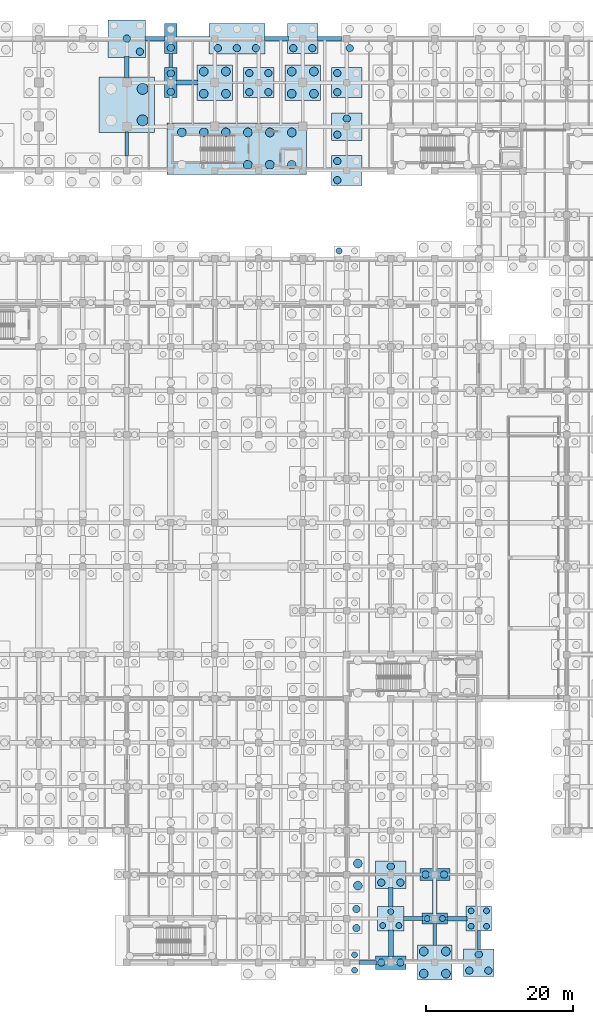
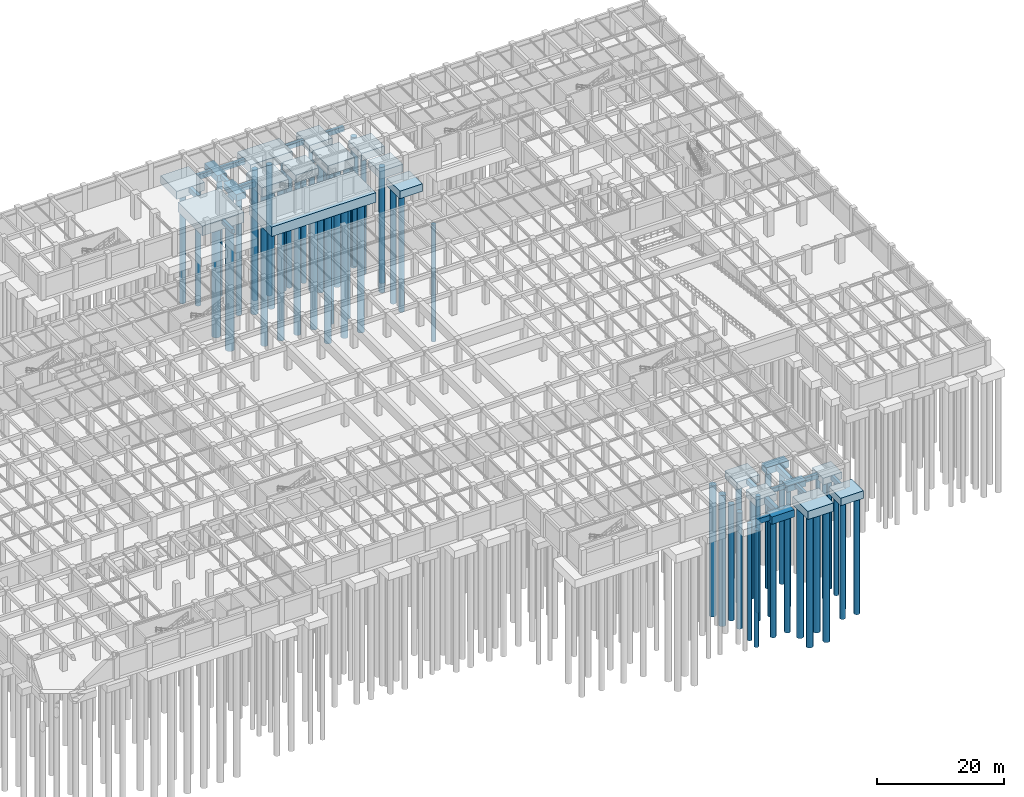
# One storey, part 16 of 54: 70 piles, 37 footings.
"""IFC4 building model written with IfcOpenShell, lengths in metres."""

from ifc_helpers import new_model, si_unit, direction, frame, origin, origin_2d, place, context, subcontext, project, spatial, rectangle, circle, extrude, material, material_profile, profile_set, type_object, element, save


model = new_model("IFC4")

# Units and contexts
model_context = context("Model", 3, precision=1e-05, world=origin(), true_north=direction((0.0, 1.0)))
body_context = subcontext(model_context, "Body", "Model", "MODEL_VIEW")
ifc_project = project(units=[si_unit("LENGTHUNIT", "METRE"), si_unit("AREAUNIT", "SQUARE_METRE"), si_unit("VOLUMEUNIT", "CUBIC_METRE"), si_unit("PLANEANGLEUNIT", "RADIAN"), si_unit("MASSUNIT", "GRAM", prefix="KILO"), si_unit("THERMODYNAMICTEMPERATUREUNIT", "KELVIN"), si_unit("POWERUNIT", "WATT")], contexts=[model_context])

# Site, building, storey
site_placement = place(None, origin())
site = spatial("IfcSite", under=ifc_project, at=site_placement, CompositionType="ELEMENT")
building_placement = place(site_placement, origin())
building = spatial("IfcBuilding", under=site, at=building_placement, Name="Phaisarnlok Congress Hotel", CompositionType="ELEMENT")
storey_placement = place(building_placement, frame((0.0, 0.0, -4.800048828125)))
storey = spatial("IfcBuildingStorey", under=building, at=storey_placement, Name="B01", CompositionType="ELEMENT", Elevation=-4.800048828125)

# Footings
ifc_material_1 = material(Name="Concrete C40/50", Category="concrete")
footing_type_1 = type_object("IfcFootingType", Name="CAP-2P-A", PredefinedType="PILE_CAP", material=ifc_material_1)
footing_1_placement = place(storey_placement, frame((138.0, 6.0, -1.69970703125), z_axis=(0.0, 0.0, 1.0), x_axis=(1.0, 0.0, 0.0)))
element("IfcFooting", 1, at=footing_1_placement, inside=storey, type_object=footing_type_1, Name="Pile cap PC-01 at (138,6)", PredefinedType="PILE_CAP", context=body_context, shape_type="SweptSolid", body=[
    extrude(rectangle(XDim=3.43994140625, YDim=1.5400390625, at=origin_2d()), origin(), (0.0, 0.0, 1.0), 1.199951171875),
])
footing_type_2 = type_object("IfcFootingType", Name="CAP-2P-B", PredefinedType="PILE_CAP", material=ifc_material_1)
footing_2_placement = place(storey_placement, frame((138.0, 12.0, -1.7998046875), z_axis=(0.0, 0.0, 1.0), x_axis=(1.0, 0.0, 0.0)))
element("IfcFooting", 2, at=footing_2_placement, inside=storey, type_object=footing_type_2, Name="Pile cap PC-02 at (138,12)", PredefinedType="PILE_CAP", context=body_context, shape_type="SweptSolid", body=[
    extrude(rectangle(XDim=4.080078125, YDim=1.639892578125, at=origin_2d()), origin(), (0.0, 0.0, 1.0), 1.300048828125),
])
footing_type_3 = type_object("IfcFootingType", Name="CAP-2P-C", PredefinedType="PILE_CAP", material=ifc_material_1)
footing_3_placement = place(storey_placement, frame((132.0, 0.0, -1.89990234375), z_axis=(0.0, 0.0, 1.0), x_axis=(1.0, 0.0, 0.0)))
element("IfcFooting", 3, at=footing_3_placement, inside=storey, type_object=footing_type_3, Name="Pile cap PC-03 at (132,0)", PredefinedType="PILE_CAP", context=body_context, shape_type="SweptSolid", body=[
    extrude(rectangle(XDim=4.1201171875, YDim=1.840087890625, at=origin_2d()), origin(), (0.0, 0.0, 1.0), 1.39990234375),
])
footing_type_4 = type_object("IfcFootingType", Name="CAP-2P-D", PredefinedType="PILE_CAP", material=ifc_material_1)
for number, where, z_axis, x_axis, name in (
    (4, (102.0, 120.0, -1.75), (0.0, 0.0, 1.0), (1.0, 0.0, 0.0), "Pile cap PC-14 at (102,120)"),
    (5, (102.0, 126.0, -1.75), (0.0, 0.0, 1.0), (1.0, 0.0, 0.0), "Pile cap PC-14 at (102,126)"),
):
    element("IfcFooting", number, at=place(storey_placement, frame(where, z_axis=z_axis, x_axis=x_axis)), inside=storey, type_object=footing_type_4, Name=name, PredefinedType="PILE_CAP", context=body_context, shape_type="SweptSolid", body=[
        extrude(rectangle(XDim=1.719970703125, YDim=4.080078125, at=origin_2d()), origin(), (0.0, 0.0, 1.0), 1.25),
    ])
footing_type_5 = type_object("IfcFootingType", Name="CAP-3P-A", PredefinedType="PILE_CAP", material=ifc_material_1)
footing_4_placement = place(storey_placement, frame((132.0, 6.0, -1.85009765625), z_axis=(0.0, 0.0, 1.0), x_axis=(1.0, 0.0, 0.0)))
element("IfcFooting", 6, at=footing_4_placement, inside=storey, type_object=footing_type_5, Name="Pile cap PC-04 at (132,6)", PredefinedType="PILE_CAP", context=body_context, shape_type="SweptSolid", body=[
    extrude(rectangle(XDim=3.639892578125, YDim=3.340087890625, at=origin_2d()), origin(), (0.0, 0.0, 1.0), 1.35009765625),
])
footing_type_6 = type_object("IfcFootingType", Name="CAP-3P-B", PredefinedType="PILE_CAP", material=ifc_material_1)
for number, where, z_axis, x_axis, name in (
    (7, (126.0, 114.0, -1.94970703125), (0.0, 0.0, 1.0), (1.0, 0.0, 0.0), "Pile cap PC-05 at (126,114)"),
    (8, (132.0, 12.0, -1.94970703125), (0.0, 0.0, 1.0), (1.0, 0.0, 0.0), "Pile cap PC-05 at (132,12)"),
    (9, (144.0, 0.0, -1.94970703125), (0.0, 0.0, 1.0), (1.0, 0.0, 0.0), "Pile cap PC-05 at (144,0)"),
):
    element("IfcFooting", number, at=place(storey_placement, frame(where, z_axis=z_axis, x_axis=x_axis)), inside=storey, type_object=footing_type_6, Name=name, PredefinedType="PILE_CAP", context=body_context, shape_type="SweptSolid", body=[
        extrude(rectangle(XDim=4.1201171875, YDim=3.739990234375, at=origin_2d()), origin(), (0.0, 0.0, 1.0), 1.449951171875),
    ])
footing_type_7 = type_object("IfcFootingType", Name="CAP-4P-A", PredefinedType="PILE_CAP", material=ifc_material_1)
footing_5_placement = place(storey_placement, frame((144.0, 6.0, -1.7998046875), z_axis=(0.0, 0.0, 1.0), x_axis=(1.0, 0.0, 0.0)))
element("IfcFooting", 10, at=footing_5_placement, inside=storey, type_object=footing_type_7, Name="Pile cap PC-06 at (144,6)", PredefinedType="PILE_CAP", context=body_context, shape_type="SweptSolid", body=[
    extrude(rectangle(XDim=3.43994140625, YDim=3.43994140625, at=origin_2d()), origin(), (0.0, 0.0, 1.0), 1.300048828125),
])
footing_type_8 = type_object("IfcFootingType", Name="CAP-4P-B", PredefinedType="PILE_CAP", material=ifc_material_1)
for number, where, z_axis, x_axis, name in (
    (11, (114.0, 120.0, -1.94970703125), (0.0, 0.0, 1.0), (1.0, 0.0, 0.0), "Pile cap PC-07 at (114,120)"),
    (12, (120.0, 126.0, -1.94970703125), (0.0, 0.0, 1.0), (1.0, 0.0, 0.0), "Pile cap PC-07 at (120,126)"),
    (13, (126.0, 108.0, -1.94970703125), (0.0, 0.0, 1.0), (1.0, 0.0, 0.0), "Pile cap PC-07 at (126,108)"),
    (14, (126.0, 120.0, -1.94970703125), (0.0, 0.0, 1.0), (1.0, 0.0, 0.0), "Pile cap PC-07 at (126,120)"),
):
    element("IfcFooting", number, at=place(storey_placement, frame(where, z_axis=z_axis, x_axis=x_axis)), inside=storey, type_object=footing_type_8, Name=name, PredefinedType="PILE_CAP", context=body_context, shape_type="SweptSolid", body=[
        extrude(rectangle(XDim=4.1201171875, YDim=4.1201171875, at=origin_2d()), origin(), (0.0, 0.0, 1.0), 1.449951171875),
    ])
footing_type_9 = type_object("IfcFootingType", Name="CAP-4P-C", PredefinedType="PILE_CAP", material=ifc_material_1)
footing_6_placement = place(storey_placement, frame((138.0, 0.0, -2.10009765625), z_axis=(0.0, 0.0, 1.0), x_axis=(1.0, 0.0, 0.0)))
element("IfcFooting", 15, at=footing_6_placement, inside=storey, type_object=footing_type_9, Name="Pile cap PC-08 at (138,0)", PredefinedType="PILE_CAP", context=body_context, shape_type="SweptSolid", body=[
    extrude(rectangle(XDim=4.719970703125, YDim=4.760009765625, at=origin_2d()), origin(), (0.0, 0.0, 1.0), 1.60009765625),
])
footing_type_10 = type_object("IfcFootingType", Name="CAP-4P-D", PredefinedType="PILE_CAP", material=ifc_material_1)
for number, where, z_axis, x_axis, name in (
    (16, (108.0, 120.0, -2.25), (0.0, 0.0, 1.0), (1.0, 0.0, 0.0), "Pile cap PC-09 at (108,120)"),
    (17, (120.0, 120.0, -2.25), (0.0, 0.0, 1.0), (1.0, 0.0, 0.0), "Pile cap PC-09 at (120,120)"),
):
    element("IfcFooting", number, at=place(storey_placement, frame(where, z_axis=z_axis, x_axis=x_axis)), inside=storey, type_object=footing_type_10, Name=name, PredefinedType="PILE_CAP", context=body_context, shape_type="SweptSolid", body=[
        extrude(rectangle(XDim=4.840087890625, YDim=4.840087890625, at=origin_2d()), origin(), (0.0, 0.0, 1.0), 1.75),
    ])
footing_type_11 = type_object("IfcFootingType", Name="CAP-4P-E", PredefinedType="PILE_CAP", material=ifc_material_1)
footing_7_placement = place(storey_placement, frame((96.0, 117.0, -2.39990234375), z_axis=(0.0, 0.0, 1.0), x_axis=(1.0, 0.0, 0.0)))
element("IfcFooting", 18, at=footing_7_placement, inside=storey, type_object=footing_type_11, Name="Combined pile cap PC-10 at (96,117)", PredefinedType="PILE_CAP", context=body_context, shape_type="SweptSolid", body=[
    extrude(rectangle(XDim=7.60009765625, YDim=7.60009765625, at=origin_2d()), origin(), (0.0, 0.0, 1.0), 1.89990234375),
])
footing_type_12 = type_object("IfcFootingType", Name="CAP-5P-A", PredefinedType="PILE_CAP", material=ifc_material_1)
footing_8_placement = place(storey_placement, frame((96.0, 126.0, -2.0498046875), z_axis=(0.0, 0.0, 1.0), x_axis=(1.0, 0.0, 0.0)))
element("IfcFooting", 19, at=footing_8_placement, inside=storey, type_object=footing_type_12, Name="Pile cap PC-13 at (96,126)", PredefinedType="PILE_CAP", context=body_context, shape_type="SweptSolid", body=[
    extrude(rectangle(XDim=5.080078125, YDim=5.080078125, at=origin_2d()), origin(), (0.0, 0.0, 1.0), 1.550048828125),
])
footing_type_13 = type_object("IfcFootingType", Name="CAP-6P-A", PredefinedType="PILE_CAP", material=ifc_material_1)
footing_9_placement = place(storey_placement, frame((111.0, 126.0, -2.14990234375), z_axis=(0.0, 0.0, 1.0), x_axis=(1.0, 0.0, 0.0)))
element("IfcFooting", 20, at=footing_9_placement, inside=storey, type_object=footing_type_13, Name="Combined pile cap PC-11 at (111,126)", PredefinedType="PILE_CAP", context=body_context, shape_type="SweptSolid", body=[
    extrude(rectangle(XDim=7.639892578125, YDim=4.159912109375, at=origin_2d()), origin(), (0.0, 0.0, 1.0), 1.64990234375),
])
footing_type_14 = type_object("IfcFootingType", Name="CAP-CORE-H", PredefinedType="PILE_CAP", material=ifc_material_1)
footing_10_placement = place(storey_placement, frame((111.0, 111.0, -2.35009765625), z_axis=(0.0, 0.0, 1.0), x_axis=(1.0, 0.0, 0.0)))
element("IfcFooting", 21, at=footing_10_placement, inside=storey, type_object=footing_type_14, Name="Core pile cap PC-15 (CORE-4)", PredefinedType="PILE_CAP", context=body_context, shape_type="SweptSolid", body=[
    extrude(rectangle(XDim=19.0, YDim=7.0, at=origin_2d()), origin(), (0.0, 0.0, 1.0), 1.85009765625),
])
ifc_material_profile_1 = material_profile(ifc_material_1, rectangle(XDim=0.5, YDim=0.800048828125, at=origin_2d()), Name="FB-500x800")
ifc_profile_set_1 = profile_set([ifc_material_profile_1], Name="Concrete C40/50")
footing_type_15 = type_object("IfcFootingType", Name="FB-500x800", PredefinedType="FOOTING_BEAM", material=ifc_profile_set_1)
footing_11_placement = place(storey_placement, frame((96.0, 109.985107421875, -0.89990234375), z_axis=(0.0, 1.0, 0.0), x_axis=(-1.0, 0.0, 0.0)))
element("IfcFooting", 22, at=footing_11_placement, inside=storey, type_object=footing_type_15, Name="Ground tie beam FB-01", PredefinedType="FOOTING_BEAM", context=body_context, shape_type="SweptSolid", body=[
    extrude(rectangle(XDim=0.5, YDim=0.800048828125, at=origin_2d()), origin(), (0.0, 0.0, 1.0), 3.289794921875),
])
footing_12_placement = place(storey_placement, frame((102.0, 121.965087890625, -0.89990234375), z_axis=(0.0, 1.0, 0.0), x_axis=(-1.0, 0.0, 0.0)))
element("IfcFooting", 23, at=footing_12_placement, inside=storey, type_object=footing_type_15, Name="Ground tie beam FB-01", PredefinedType="FOOTING_BEAM", context=body_context, shape_type="SweptSolid", body=[
    extrude(rectangle(XDim=0.5, YDim=0.800048828125, at=origin_2d()), origin(), (0.0, 0.0, 1.0), 2.06982421875),
])
footing_13_placement = place(storey_placement, frame((133.7451171875, 6.0, -0.89990234375), z_axis=(1.0, 0.0, 0.0), x_axis=(0.0, 1.0, 0.0)))
element("IfcFooting", 24, at=footing_13_placement, inside=storey, type_object=footing_type_15, Name="Ground tie beam FB-01", PredefinedType="FOOTING_BEAM", context=body_context, shape_type="SweptSolid", body=[
    extrude(rectangle(XDim=0.5, YDim=0.800048828125, at=origin_2d()), origin(), (0.0, 0.0, 1.0), 2.60986328125),
])
footing_14_placement = place(storey_placement, frame((138.0, 2.304931640625, -0.89990234375), z_axis=(0.0, 1.0, 0.0), x_axis=(-1.0, 0.0, 0.0)))
element("IfcFooting", 25, at=footing_14_placement, inside=storey, type_object=footing_type_15, Name="Ground tie beam FB-01", PredefinedType="FOOTING_BEAM", context=body_context, shape_type="SweptSolid", body=[
    extrude(rectangle(XDim=0.5, YDim=0.800048828125, at=origin_2d()), origin(), (0.0, 0.0, 1.0), 3.0),
])
footing_15_placement = place(storey_placement, frame((144.0, 1.794921875, -0.89990234375), z_axis=(0.0, 1.0, 0.0), x_axis=(-1.0, 0.0, 0.0)))
element("IfcFooting", 26, at=footing_15_placement, inside=storey, type_object=footing_type_15, Name="Ground tie beam FB-01", PredefinedType="FOOTING_BEAM", context=body_context, shape_type="SweptSolid", body=[
    extrude(rectangle(XDim=0.5, YDim=0.800048828125, at=origin_2d()), origin(), (0.0, 0.0, 1.0), 2.56005859375),
])
ifc_material_profile_2 = material_profile(ifc_material_1, rectangle(XDim=0.60009765625, YDim=1.0, at=origin_2d()), Name="FB-600x1000")
ifc_profile_set_2 = profile_set([ifc_material_profile_2], Name="Concrete C40/50")
footing_type_16 = type_object("IfcFootingType", Name="FB-600x1000", PredefinedType="FOOTING_BEAM", material=ifc_profile_set_2)
footing_16_placement = place(storey_placement, frame((98.465087890625, 126.0, -1.0), z_axis=(1.0, 0.0, 0.0), x_axis=(0.0, 1.0, 0.0)))
element("IfcFooting", 27, at=footing_16_placement, inside=storey, type_object=footing_type_16, Name="Ground tie beam FB-03", PredefinedType="FOOTING_BEAM", context=body_context, shape_type="SweptSolid", body=[
    extrude(rectangle(XDim=0.60009765625, YDim=1.0, at=origin_2d()), origin(), (0.0, 0.0, 1.0), 2.75),
])
footing_17_placement = place(storey_placement, frame((127.64501953125, 0.0, -1.0), z_axis=(1.0, 0.0, 0.0), x_axis=(0.0, 1.0, 0.0)))
element("IfcFooting", 28, at=footing_17_placement, inside=storey, type_object=footing_type_16, Name="Ground tie beam FB-03", PredefinedType="FOOTING_BEAM", context=body_context, shape_type="SweptSolid", body=[
    extrude(rectangle(XDim=0.60009765625, YDim=1.0, at=origin_2d()), origin(), (0.0, 0.0, 1.0), 2.369873046875),
])
footing_18_placement = place(storey_placement, frame((138.0, 6.695068359375, -1.0), z_axis=(0.0, 1.0, 0.0), x_axis=(-1.0, 0.0, 0.0)))
element("IfcFooting", 29, at=footing_18_placement, inside=storey, type_object=footing_type_16, Name="Ground tie beam FB-03", PredefinedType="FOOTING_BEAM", context=body_context, shape_type="SweptSolid", body=[
    extrude(rectangle(XDim=0.60009765625, YDim=1.0, at=origin_2d()), origin(), (0.0, 0.0, 1.0), 4.559814453125),
])
ifc_material_profile_3 = material_profile(ifc_material_1, rectangle(XDim=0.60009765625, YDim=0.89990234375, at=origin_2d()), Name="FB-600x900")
ifc_profile_set_3 = profile_set([ifc_material_profile_3], Name="Concrete C40/50")
footing_type_17 = type_object("IfcFootingType", Name="FB-600x900", PredefinedType="FOOTING_BEAM", material=ifc_profile_set_3)
footing_19_placement = place(storey_placement, frame((96.0, 120.72509765625, -0.949951171875), z_axis=(0.0, 1.0, 0.0), x_axis=(-1.0, 0.0, 0.0)))
element("IfcFooting", 30, at=footing_19_placement, inside=storey, type_object=footing_type_17, Name="Ground tie beam FB-02", PredefinedType="FOOTING_BEAM", context=body_context, shape_type="SweptSolid", body=[
    extrude(rectangle(XDim=0.60009765625, YDim=0.89990234375, at=origin_2d()), origin(), (0.0, 0.0, 1.0), 2.809814453125),
])
footing_20_placement = place(storey_placement, frame((102.784912109375, 126.0, -0.949951171875), z_axis=(1.0, 0.0, 0.0), x_axis=(0.0, 1.0, 0.0)))
element("IfcFooting", 31, at=footing_20_placement, inside=storey, type_object=footing_type_17, Name="Ground tie beam FB-02", PredefinedType="FOOTING_BEAM", context=body_context, shape_type="SweptSolid", body=[
    extrude(rectangle(XDim=0.60009765625, YDim=0.89990234375, at=origin_2d()), origin(), (0.0, 0.0, 1.0), 4.469970703125),
])
for number, where, z_axis, x_axis, name in (
    (32, (114.7451171875, 126.0, -0.949951171875), (1.0, 0.0, 0.0), (0.0, 1.0, 0.0), "Ground tie beam FB-02"),
    (33, (121.985107421875, 126.0, -0.949951171875), (1.0, 0.0, 0.0), (0.0, 1.0, 0.0), "Ground tie beam FB-02"),
):
    element("IfcFooting", number, at=place(storey_placement, frame(where, z_axis=z_axis, x_axis=x_axis)), inside=storey, type_object=footing_type_17, Name=name, PredefinedType="FOOTING_BEAM", context=body_context, shape_type="SweptSolid", body=[
        extrude(rectangle(XDim=0.60009765625, YDim=0.89990234375, at=origin_2d()), origin(), (0.0, 0.0, 1.0), 3.269775390625),
    ])
footing_21_placement = place(storey_placement, frame((132.0, 7.594970703125, -0.949951171875), z_axis=(0.0, 1.0, 0.0), x_axis=(-1.0, 0.0, 0.0)))
element("IfcFooting", 34, at=footing_21_placement, inside=storey, type_object=footing_type_17, Name="Ground tie beam FB-02", PredefinedType="FOOTING_BEAM", context=body_context, shape_type="SweptSolid", body=[
    extrude(rectangle(XDim=0.60009765625, YDim=0.89990234375, at=origin_2d()), origin(), (0.0, 0.0, 1.0), 2.610107421875),
])
footing_22_placement = place(storey_placement, frame((139.64501953125, 6.0, -0.949951171875), z_axis=(1.0, 0.0, 0.0), x_axis=(0.0, 1.0, 0.0)))
element("IfcFooting", 35, at=footing_22_placement, inside=storey, type_object=footing_type_17, Name="Ground tie beam FB-02", PredefinedType="FOOTING_BEAM", context=body_context, shape_type="SweptSolid", body=[
    extrude(rectangle(XDim=0.60009765625, YDim=0.89990234375, at=origin_2d()), origin(), (0.0, 0.0, 1.0), 2.7099609375),
])
ifc_material_profile_4 = material_profile(ifc_material_1, rectangle(XDim=0.699951171875, YDim=1.10009765625, at=origin_2d()), Name="FB-700x1100")
ifc_profile_set_4 = profile_set([ifc_material_profile_4], Name="Concrete C40/50")
footing_type_18 = type_object("IfcFootingType", Name="FB-700x1100", PredefinedType="FOOTING_BEAM", material=ifc_profile_set_4)
footing_23_placement = place(storey_placement, frame((102.784912109375, 120.0, -1.050048828125), z_axis=(1.0, 0.0, 0.0), x_axis=(0.0, 1.0, 0.0)))
element("IfcFooting", 36, at=footing_23_placement, inside=storey, type_object=footing_type_18, Name="Ground tie beam FB-04", PredefinedType="FOOTING_BEAM", context=body_context, shape_type="SweptSolid", body=[
    extrude(rectangle(XDim=0.699951171875, YDim=1.10009765625, at=origin_2d()), origin(), (0.0, 0.0, 1.0), 2.8701171875),
])
footing_24_placement = place(storey_placement, frame((132.0, 0.844970703125, -1.050048828125), z_axis=(0.0, 1.0, 0.0), x_axis=(-1.0, 0.0, 0.0)))
element("IfcFooting", 37, at=footing_24_placement, inside=storey, type_object=footing_type_18, Name="Ground tie beam FB-04", PredefinedType="FOOTING_BEAM", context=body_context, shape_type="SweptSolid", body=[
    extrude(rectangle(XDim=0.699951171875, YDim=1.10009765625, at=origin_2d()), origin(), (0.0, 0.0, 1.0), 3.56005859375),
])

# Piles
ifc_material_2 = material(Name="Concrete C35/45", Category="concrete")
ifc_material_profile_5 = material_profile(ifc_material_2, circle(Radius=0.5, at=origin_2d()), Name="BORED PILE D1000")
ifc_profile_set_5 = profile_set([ifc_material_profile_5], Name="Concrete C35/45")
pile_type_1 = type_object("IfcPileType", Name="PILE-D1000", PredefinedType="BORED", material=ifc_profile_set_5)
for number, where, z_axis, x_axis, name in (
    (38, (108.39990234375, 124.699951171875, -2.050048828125), (0.0, 0.0, -1.0), (1.0, 0.0, 0.0), "Bored pile PL-02 (FTG-B01-108-126-1)"),
    (39, (111.0, 124.699951171875, -2.050048828125), (0.0, 0.0, -1.0), (1.0, 0.0, 0.0), "Bored pile PL-02 (FTG-B01-108-126-2)"),
    (40, (113.60009765625, 124.699951171875, -2.050048828125), (0.0, 0.0, -1.0), (1.0, 0.0, 0.0), "Bored pile PL-02 (FTG-B01-108-126-3)"),
    (41, (126.39990234375, 124.699951171875, -2.050048828125), (0.0, 0.0, -1.0), (1.0, 0.0, 0.0), "Bored pile PL-02 (FTG-B01-126-126-1)"),
):
    element("IfcPile", number, at=place(storey_placement, frame(where, z_axis=z_axis, x_axis=x_axis)), inside=storey, type_object=pile_type_1, Name=name, PredefinedType="BORED", context=body_context, shape_type="SweptSolid", body=[
        extrude(circle(Radius=0.5, at=origin_2d()), origin(), (0.0, 0.0, 1.0), 25.14990234375),
    ])
for number, where, z_axis, x_axis, name in (
    (42, (97.780029296875, 124.219970703125, -1.949951171875), (0.0, 0.0, -1.0), (1.0, 0.0, 0.0), "Bored pile PL-02 (FTG-B01-096-126-2)"),
    (43, (96.0, 126.0, -1.949951171875), (0.0, 0.0, -1.0), (1.0, 0.0, 0.0), "Bored pile PL-02 (FTG-B01-096-126-3)"),
):
    element("IfcPile", number, at=place(storey_placement, frame(where, z_axis=z_axis, x_axis=x_axis)), inside=storey, type_object=pile_type_1, Name=name, PredefinedType="BORED", context=body_context, shape_type="SweptSolid", body=[
        extrude(circle(Radius=0.5, at=origin_2d()), origin(), (0.0, 0.0, 1.0), 22.25),
    ])
for number, where, z_axis, x_axis, name in (
    (44, (102.0, 118.739990234375, -1.64990234375), (0.0, 0.0, -1.0), (1.0, 0.0, 0.0), "Bored pile PL-02 (FTG-B01-102-120-1)"),
    (45, (102.0, 121.260009765625, -1.64990234375), (0.0, 0.0, -1.0), (1.0, 0.0, 0.0), "Bored pile PL-02 (FTG-B01-102-120-2)"),
    (46, (102.0, 124.739990234375, -1.64990234375), (0.0, 0.0, -1.0), (1.0, 0.0, 0.0), "Bored pile PL-02 (FTG-B01-102-126-1)"),
):
    element("IfcPile", number, at=place(storey_placement, frame(where, z_axis=z_axis, x_axis=x_axis)), inside=storey, type_object=pile_type_1, Name=name, PredefinedType="BORED", context=body_context, shape_type="SweptSolid", body=[
        extrude(circle(Radius=0.5, at=origin_2d()), origin(), (0.0, 0.0, 1.0), 22.550048828125),
    ])
for number, where, z_axis, x_axis, name in (
    (47, (112.699951171875, 118.699951171875, -1.849853515625), (0.0, 0.0, -1.0), (1.0, 0.0, 0.0), "Bored pile PL-02 (FTG-B01-114-120-1)"),
    (48, (115.300048828125, 118.699951171875, -1.849853515625), (0.0, 0.0, -1.0), (1.0, 0.0, 0.0), "Bored pile PL-02 (FTG-B01-114-120-2)"),
    (49, (112.699951171875, 121.300048828125, -1.849853515625), (0.0, 0.0, -1.0), (1.0, 0.0, 0.0), "Bored pile PL-02 (FTG-B01-114-120-3)"),
    (50, (115.300048828125, 121.300048828125, -1.849853515625), (0.0, 0.0, -1.0), (1.0, 0.0, 0.0), "Bored pile PL-02 (FTG-B01-114-120-4)"),
    (51, (118.699951171875, 124.699951171875, -1.849853515625), (0.0, 0.0, -1.0), (1.0, 0.0, 0.0), "Bored pile PL-02 (FTG-B01-120-126-1)"),
    (52, (121.300048828125, 124.699951171875, -1.849853515625), (0.0, 0.0, -1.0), (1.0, 0.0, 0.0), "Bored pile PL-02 (FTG-B01-120-126-2)"),
    (53, (127.300048828125, 4.699951171875, -1.849853515625), (0.0, 0.0, -1.0), (1.0, 0.0, 0.0), "Bored pile PL-02 (FTG-B01-126-006-2)"),
    (54, (127.300048828125, 7.300048828125, -1.849853515625), (0.0, 0.0, -1.0), (1.0, 0.0, 0.0), "Bored pile PL-02 (FTG-B01-126-006-4)"),
    (55, (124.699951171875, 106.699951171875, -1.849853515625), (0.0, 0.0, -1.0), (1.0, 0.0, 0.0), "Bored pile PL-02 (FTG-B01-126-108-1)"),
    (56, (124.699951171875, 109.300048828125, -1.849853515625), (0.0, 0.0, -1.0), (1.0, 0.0, 0.0), "Bored pile PL-02 (FTG-B01-126-108-3)"),
    (57, (124.699951171875, 112.89990234375, -1.849853515625), (0.0, 0.0, -1.0), (1.0, 0.0, 0.0), "Bored pile PL-02 (FTG-B01-126-114-1)"),
    (58, (126.0, 115.10009765625, -1.849853515625), (0.0, 0.0, -1.0), (1.0, 0.0, 0.0), "Bored pile PL-02 (FTG-B01-126-114-3)"),
    (59, (124.699951171875, 118.699951171875, -1.849853515625), (0.0, 0.0, -1.0), (1.0, 0.0, 0.0), "Bored pile PL-02 (FTG-B01-126-120-1)"),
    (60, (124.699951171875, 121.300048828125, -1.849853515625), (0.0, 0.0, -1.0), (1.0, 0.0, 0.0), "Bored pile PL-02 (FTG-B01-126-120-3)"),
):
    element("IfcPile", number, at=place(storey_placement, frame(where, z_axis=z_axis, x_axis=x_axis)), inside=storey, type_object=pile_type_1, Name=name, PredefinedType="BORED", context=body_context, shape_type="SweptSolid", body=[
        extrude(circle(Radius=0.5, at=origin_2d()), origin(), (0.0, 0.0, 1.0), 22.35009765625),
    ])
for number, where, z_axis, x_axis, name in (
    (61, (130.699951171875, 0.0, -1.800048828125), (0.0, 0.0, -1.0), (1.0, 0.0, 0.0), "Bored pile PL-02 (FTG-B01-132-000-1)"),
    (62, (133.300048828125, 0.0, -1.800048828125), (0.0, 0.0, -1.0), (1.0, 0.0, 0.0), "Bored pile PL-02 (FTG-B01-132-000-2)"),
):
    element("IfcPile", number, at=place(storey_placement, frame(where, z_axis=z_axis, x_axis=x_axis)), inside=storey, type_object=pile_type_1, Name=name, PredefinedType="BORED", context=body_context, shape_type="SweptSolid", body=[
        extrude(circle(Radius=0.5, at=origin_2d()), origin(), (0.0, 0.0, 1.0), 22.39990234375),
    ])
for number, where, z_axis, x_axis, name in (
    (63, (130.699951171875, 10.89990234375, -1.849853515625), (0.0, 0.0, -1.0), (1.0, 0.0, 0.0), "Bored pile PL-02 (FTG-B01-132-012-1)"),
    (64, (133.300048828125, 10.89990234375, -1.849853515625), (0.0, 0.0, -1.0), (1.0, 0.0, 0.0), "Bored pile PL-02 (FTG-B01-132-012-2)"),
    (65, (132.0, 13.10009765625, -1.849853515625), (0.0, 0.0, -1.0), (1.0, 0.0, 0.0), "Bored pile PL-02 (FTG-B01-132-012-3)"),
):
    element("IfcPile", number, at=place(storey_placement, frame(where, z_axis=z_axis, x_axis=x_axis)), inside=storey, type_object=pile_type_1, Name=name, PredefinedType="BORED", context=body_context, shape_type="SweptSolid", body=[
        extrude(circle(Radius=0.5, at=origin_2d()), origin(), (0.0, 0.0, 1.0), 22.35009765625),
    ])
for number, where, z_axis, x_axis, name in (
    (66, (136.739990234375, 12.0, -1.699951171875), (0.0, 0.0, -1.0), (1.0, 0.0, 0.0), "Bored pile PL-02 (FTG-B01-138-012-1)"),
    (67, (139.260009765625, 12.0, -1.699951171875), (0.0, 0.0, -1.0), (1.0, 0.0, 0.0), "Bored pile PL-02 (FTG-B01-138-012-2)"),
):
    element("IfcPile", number, at=place(storey_placement, frame(where, z_axis=z_axis, x_axis=x_axis)), inside=storey, type_object=pile_type_1, Name=name, PredefinedType="BORED", context=body_context, shape_type="SweptSolid", body=[
        extrude(circle(Radius=0.5, at=origin_2d()), origin(), (0.0, 0.0, 1.0), 22.5),
    ])
for number, where, z_axis, x_axis, name in (
    (68, (142.699951171875, -1.10009765625, -1.849853515625), (0.0, 0.0, -1.0), (1.0, 0.0, 0.0), "Bored pile PL-02 (FTG-B01-144-000-1)"),
    (69, (145.300048828125, -1.10009765625, -1.849853515625), (0.0, 0.0, -1.0), (1.0, 0.0, 0.0), "Bored pile PL-02 (FTG-B01-144-000-2)"),
    (70, (144.0, 1.10009765625, -1.849853515625), (0.0, 0.0, -1.0), (1.0, 0.0, 0.0), "Bored pile PL-02 (FTG-B01-144-000-3)"),
):
    element("IfcPile", number, at=place(storey_placement, frame(where, z_axis=z_axis, x_axis=x_axis)), inside=storey, type_object=pile_type_1, Name=name, PredefinedType="BORED", context=body_context, shape_type="SweptSolid", body=[
        extrude(circle(Radius=0.5, at=origin_2d()), origin(), (0.0, 0.0, 1.0), 22.35009765625),
    ])
ifc_material_profile_6 = material_profile(ifc_material_2, circle(Radius=0.60009765625, at=origin_2d()), Name="BORED PILE D1200")
ifc_profile_set_6 = profile_set([ifc_material_profile_6], Name="Concrete C35/45")
pile_type_2 = type_object("IfcPileType", Name="PILE-D1200", PredefinedType="BORED", material=ifc_profile_set_6)
for number, where, z_axis, x_axis, name in (
    (71, (103.5, 113.199951171875, -2.25), (0.0, 0.0, -1.0), (1.0, 0.0, 0.0), "Bored pile PL-03 (CORE-4-02)"),
    (72, (106.5, 113.199951171875, -2.25), (0.0, 0.0, -1.0), (1.0, 0.0, 0.0), "Bored pile PL-03 (CORE-4-04)"),
    (73, (109.5, 113.199951171875, -2.25), (0.0, 0.0, -1.0), (1.0, 0.0, 0.0), "Bored pile PL-03 (CORE-4-06)"),
    (74, (112.5, 108.800048828125, -2.25), (0.0, 0.0, -1.0), (1.0, 0.0, 0.0), "Bored pile PL-03 (CORE-4-07)"),
    (75, (112.5, 113.199951171875, -2.25), (0.0, 0.0, -1.0), (1.0, 0.0, 0.0), "Bored pile PL-03 (CORE-4-08)"),
    (76, (115.5, 108.800048828125, -2.25), (0.0, 0.0, -1.0), (1.0, 0.0, 0.0), "Bored pile PL-03 (CORE-4-09)"),
    (77, (115.5, 113.199951171875, -2.25), (0.0, 0.0, -1.0), (1.0, 0.0, 0.0), "Bored pile PL-03 (CORE-4-10)"),
    (78, (118.5, 108.800048828125, -2.25), (0.0, 0.0, -1.0), (1.0, 0.0, 0.0), "Bored pile PL-03 (CORE-4-11)"),
    (79, (118.5, 113.199951171875, -2.25), (0.0, 0.0, -1.0), (1.0, 0.0, 0.0), "Bored pile PL-03 (CORE-4-12)"),
):
    element("IfcPile", number, at=place(storey_placement, frame(where, z_axis=z_axis, x_axis=x_axis)), inside=storey, type_object=pile_type_2, Name=name, PredefinedType="BORED", context=body_context, shape_type="SweptSolid", body=[
        extrude(circle(Radius=0.60009765625, at=origin_2d()), origin(), (0.0, 0.0, 1.0), 24.949951171875),
    ])
for number, where, z_axis, x_axis, name in (
    (80, (106.489990234375, 118.489990234375, -2.14990234375), (0.0, 0.0, -1.0), (1.0, 0.0, 0.0), "Bored pile PL-03 (FTG-B01-108-120-1)"),
    (81, (109.510009765625, 118.489990234375, -2.14990234375), (0.0, 0.0, -1.0), (1.0, 0.0, 0.0), "Bored pile PL-03 (FTG-B01-108-120-2)"),
    (82, (106.489990234375, 121.510009765625, -2.14990234375), (0.0, 0.0, -1.0), (1.0, 0.0, 0.0), "Bored pile PL-03 (FTG-B01-108-120-3)"),
    (83, (109.510009765625, 121.510009765625, -2.14990234375), (0.0, 0.0, -1.0), (1.0, 0.0, 0.0), "Bored pile PL-03 (FTG-B01-108-120-4)"),
    (84, (118.489990234375, 118.489990234375, -2.14990234375), (0.0, 0.0, -1.0), (1.0, 0.0, 0.0), "Bored pile PL-03 (FTG-B01-120-120-1)"),
    (85, (121.510009765625, 118.489990234375, -2.14990234375), (0.0, 0.0, -1.0), (1.0, 0.0, 0.0), "Bored pile PL-03 (FTG-B01-120-120-2)"),
    (86, (118.489990234375, 121.510009765625, -2.14990234375), (0.0, 0.0, -1.0), (1.0, 0.0, 0.0), "Bored pile PL-03 (FTG-B01-120-120-3)"),
    (87, (121.510009765625, 121.510009765625, -2.14990234375), (0.0, 0.0, -1.0), (1.0, 0.0, 0.0), "Bored pile PL-03 (FTG-B01-120-120-4)"),
):
    element("IfcPile", number, at=place(storey_placement, frame(where, z_axis=z_axis, x_axis=x_axis)), inside=storey, type_object=pile_type_2, Name=name, PredefinedType="BORED", context=body_context, shape_type="SweptSolid", body=[
        extrude(circle(Radius=0.60009765625, at=origin_2d()), origin(), (0.0, 0.0, 1.0), 25.050048828125),
    ])
for number, where, z_axis, x_axis, name in (
    (88, (127.510009765625, 10.489990234375, -2.0), (0.0, 0.0, -1.0), (1.0, 0.0, 0.0), "Bored pile PL-03 (FTG-B01-126-012-2)"),
    (89, (127.510009765625, 13.510009765625, -2.0), (0.0, 0.0, -1.0), (1.0, 0.0, 0.0), "Bored pile PL-03 (FTG-B01-126-012-4)"),
    (90, (136.489990234375, -1.510009765625, -2.0), (0.0, 0.0, -1.0), (1.0, 0.0, 0.0), "Bored pile PL-03 (FTG-B01-138-000-1)"),
    (91, (139.510009765625, -1.510009765625, -2.0), (0.0, 0.0, -1.0), (1.0, 0.0, 0.0), "Bored pile PL-03 (FTG-B01-138-000-2)"),
    (92, (136.489990234375, 1.510009765625, -2.0), (0.0, 0.0, -1.0), (1.0, 0.0, 0.0), "Bored pile PL-03 (FTG-B01-138-000-3)"),
    (93, (139.510009765625, 1.510009765625, -2.0), (0.0, 0.0, -1.0), (1.0, 0.0, 0.0), "Bored pile PL-03 (FTG-B01-138-000-4)"),
):
    element("IfcPile", number, at=place(storey_placement, frame(where, z_axis=z_axis, x_axis=x_axis)), inside=storey, type_object=pile_type_2, Name=name, PredefinedType="BORED", context=body_context, shape_type="SweptSolid", body=[
        extrude(circle(Radius=0.60009765625, at=origin_2d()), origin(), (0.0, 0.0, 1.0), 25.199951171875),
    ])
ifc_material_profile_7 = material_profile(ifc_material_2, circle(Radius=0.75, at=origin_2d()), Name="BORED PILE D1500")
ifc_profile_set_7 = profile_set([ifc_material_profile_7], Name="Concrete C35/45")
pile_type_3 = type_object("IfcPileType", Name="PILE-D1500", PredefinedType="BORED", material=ifc_profile_set_7)
for number, where, z_axis, x_axis, name in (
    (94, (98.14990234375, 114.85009765625, -2.300048828125), (0.0, 0.0, -1.0), (1.0, 0.0, 0.0), "Bored pile PL-04 (FTG-B01-096-114-2)"),
    (95, (98.14990234375, 119.14990234375, -2.300048828125), (0.0, 0.0, -1.0), (1.0, 0.0, 0.0), "Bored pile PL-04 (FTG-B01-096-114-4)"),
):
    element("IfcPile", number, at=place(storey_placement, frame(where, z_axis=z_axis, x_axis=x_axis)), inside=storey, type_object=pile_type_3, Name=name, PredefinedType="BORED", context=body_context, shape_type="SweptSolid", body=[
        extrude(circle(Radius=0.75, at=origin_2d()), origin(), (0.0, 0.0, 1.0), 24.89990234375),
    ])
ifc_material_profile_8 = material_profile(ifc_material_2, circle(Radius=0.39990234375, at=origin_2d()), Name="BORED PILE D800")
ifc_profile_set_8 = profile_set([ifc_material_profile_8], Name="Concrete C35/45")
pile_type_4 = type_object("IfcPileType", Name="PILE-D800", PredefinedType="BORED", material=ifc_profile_set_8)
for number, where, z_axis, x_axis, name in (
    (96, (127.050048828125, -1.050048828125, -1.699951171875), (0.0, 0.0, -1.0), (1.0, 0.0, 0.0), "Bored pile PL-01 (FTG-B01-126-000-2)"),
    (97, (127.050048828125, 1.050048828125, -1.699951171875), (0.0, 0.0, -1.0), (1.0, 0.0, 0.0), "Bored pile PL-01 (FTG-B01-126-000-4)"),
    (98, (124.949951171875, 97.050048828125, -1.699951171875), (0.0, 0.0, -1.0), (1.0, 0.0, 0.0), "Bored pile PL-01 (FTG-B01-126-096-3)"),
):
    element("IfcPile", number, at=place(storey_placement, frame(where, z_axis=z_axis, x_axis=x_axis)), inside=storey, type_object=pile_type_4, Name=name, PredefinedType="BORED", context=body_context, shape_type="SweptSolid", body=[
        extrude(circle(Radius=0.39990234375, at=origin_2d()), origin(), (0.0, 0.0, 1.0), 22.5),
    ])
for number, where, z_axis, x_axis, name in (
    (99, (130.89990234375, 5.050048828125, -1.75), (0.0, 0.0, -1.0), (1.0, 0.0, 0.0), "Bored pile PL-01 (FTG-B01-132-006-1)"),
    (100, (133.10009765625, 5.050048828125, -1.75), (0.0, 0.0, -1.0), (1.0, 0.0, 0.0), "Bored pile PL-01 (FTG-B01-132-006-2)"),
    (101, (132.0, 6.949951171875, -1.75), (0.0, 0.0, -1.0), (1.0, 0.0, 0.0), "Bored pile PL-01 (FTG-B01-132-006-3)"),
):
    element("IfcPile", number, at=place(storey_placement, frame(where, z_axis=z_axis, x_axis=x_axis)), inside=storey, type_object=pile_type_4, Name=name, PredefinedType="BORED", context=body_context, shape_type="SweptSolid", body=[
        extrude(circle(Radius=0.39990234375, at=origin_2d()), origin(), (0.0, 0.0, 1.0), 22.449951171875),
    ])
for number, where, z_axis, x_axis, name in (
    (102, (136.949951171875, 6.0, -1.599853515625), (0.0, 0.0, -1.0), (1.0, 0.0, 0.0), "Bored pile PL-01 (FTG-B01-138-006-1)"),
    (103, (139.050048828125, 6.0, -1.599853515625), (0.0, 0.0, -1.0), (1.0, 0.0, 0.0), "Bored pile PL-01 (FTG-B01-138-006-2)"),
):
    element("IfcPile", number, at=place(storey_placement, frame(where, z_axis=z_axis, x_axis=x_axis)), inside=storey, type_object=pile_type_4, Name=name, PredefinedType="BORED", context=body_context, shape_type="SweptSolid", body=[
        extrude(circle(Radius=0.39990234375, at=origin_2d()), origin(), (0.0, 0.0, 1.0), 22.60009765625),
    ])
for number, where, z_axis, x_axis, name in (
    (104, (142.949951171875, 4.949951171875, -1.699951171875), (0.0, 0.0, -1.0), (1.0, 0.0, 0.0), "Bored pile PL-01 (FTG-B01-144-006-1)"),
    (105, (145.050048828125, 4.949951171875, -1.699951171875), (0.0, 0.0, -1.0), (1.0, 0.0, 0.0), "Bored pile PL-01 (FTG-B01-144-006-2)"),
    (106, (142.949951171875, 7.050048828125, -1.699951171875), (0.0, 0.0, -1.0), (1.0, 0.0, 0.0), "Bored pile PL-01 (FTG-B01-144-006-3)"),
    (107, (145.050048828125, 7.050048828125, -1.699951171875), (0.0, 0.0, -1.0), (1.0, 0.0, 0.0), "Bored pile PL-01 (FTG-B01-144-006-4)"),
):
    element("IfcPile", number, at=place(storey_placement, frame(where, z_axis=z_axis, x_axis=x_axis)), inside=storey, type_object=pile_type_4, Name=name, PredefinedType="BORED", context=body_context, shape_type="SweptSolid", body=[
        extrude(circle(Radius=0.39990234375, at=origin_2d()), origin(), (0.0, 0.0, 1.0), 22.5),
    ])

save(model, "model.ifc")
